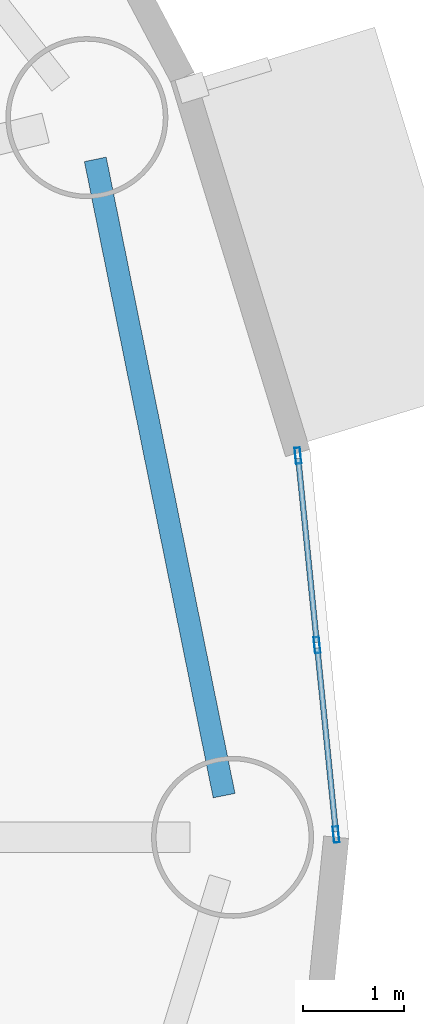
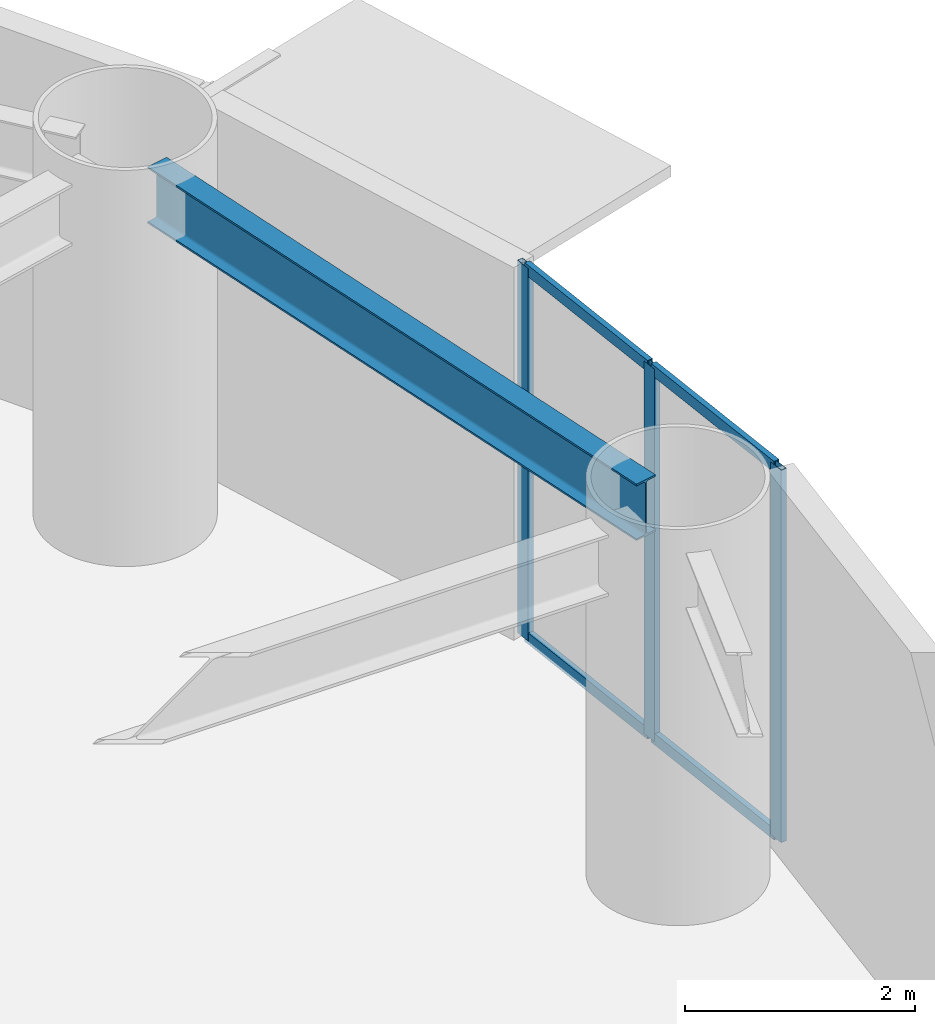
# One storey, part 8 of 28: 7 members, 1 beam, 1 element without a shape of its own.
"""IFC4 building model written with IfcOpenShell, lengths in metres."""

from ifc_helpers import new_model, si_unit, direction, frame, origin, origin_2d, place, context, subcontext, project, spatial, hollow_rectangle, i_section, extrude, source, transform, mapped, material, layer, layer_set, material_profile, profile_set, type_object, element, aggregate, save


model = new_model("IFC4")

# Units and contexts
model_context = context("Model", 3, precision=1e-05, world=origin(), true_north=direction((0.0, 1.0)))
body_context = subcontext(model_context, "Body", "Model", "MODEL_VIEW")
ifc_project = project(units=[si_unit("LENGTHUNIT", "METRE"), si_unit("AREAUNIT", "SQUARE_METRE"), si_unit("VOLUMEUNIT", "CUBIC_METRE"), si_unit("PLANEANGLEUNIT", "RADIAN"), si_unit("MASSUNIT", "GRAM", prefix="KILO")], contexts=[model_context])

# Site, building, storey
site_placement = place(None, origin())
site = spatial("IfcSite", under=ifc_project, at=site_placement, CompositionType="ELEMENT")
building_placement = place(site_placement, origin())
building = spatial("IfcBuilding", under=site, at=building_placement, Name="Linh Dai School and Residence Tower", CompositionType="ELEMENT")
storey_placement = place(building_placement, frame((0.0, 0.0, 36.60009765625)))
storey = spatial("IfcBuildingStorey", under=building, at=storey_placement, Name="L08", CompositionType="ELEMENT", Elevation=36.60009765625)

# Beam
ifc_material_1 = material(Name="Structural Steel S355JR", Category="steel")
ifc_material_profile_1 = material_profile(ifc_material_1, i_section(OverallWidth=0.219970703125, OverallDepth=0.60009765625, WebThickness=0.011962890625, FlangeThickness=0.01904296875, FilletRadius=0.02392578125, at=origin_2d()), Name="IPE 600")
ifc_profile_set_1 = profile_set([ifc_material_profile_1], Name="Structural Steel S355JR")
beam_type = type_object("IfcBeamType", Name="BM-RB60", PredefinedType="BEAM", material=ifc_profile_set_1)
beam_placement = place(storey_placement, frame((65.966552734375, 27.41162109375, 3.64990234375), z_axis=(-0.198429171022, 0.980115230005, 0.0), x_axis=(-0.980115230005, -0.198429171022, 0.0)))
element("IfcBeam", 1, at=beam_placement, inside=storey, type_object=beam_type, Name="L08 Perimeter Elliptical Ring Beam 01", PredefinedType="BEAM", context=body_context, shape_type="SweptSolid", body=[
    extrude(i_section(OverallWidth=0.219970703125, OverallDepth=0.60009765625, WebThickness=0.011962890625, FlangeThickness=0.01904296875, FilletRadius=0.02392578125, at=origin_2d()), origin(), (0.0, 0.0, 1.0), 6.41259765625),
])

# Curtain wall, members
ifc_material_2 = material(Name="Aluminium Anodised Curtain Wall", Category="aluminium")
ifc_layer = layer(ifc_material_2, 0.159912109375)
ifc_layer_set = layer_set([ifc_layer], Name="Aluminium Anodised Curtain Wall")
curtain_wall_type = type_object("IfcCurtainWallType", Name="CW-SYS-3", PredefinedType="USERDEFINED", material=ifc_layer_set)
curtain_wall_placement = place(storey_placement, origin())
curtain_wall = element("IfcCurtainWall", 2, at=curtain_wall_placement, inside=storey, type_object=curtain_wall_type, Name="L08 CW3 Curtain Wall 01", ObjectType="RIBBON CURTAIN WALL", PredefinedType="USERDEFINED")
ifc_material_3 = material(Name="Aluminium Alloy 6063-T6", Category="aluminium")
ifc_material_profile_2 = material_profile(ifc_material_3, hollow_rectangle(XDim=0.054931640625, YDim=0.1201171875, WallThickness=0.00390625, at=origin_2d()), Name="RHS 120x55x4")
ifc_profile_set_2 = profile_set([ifc_material_profile_2], Name="Aluminium Alloy 6063-T6")
member_type_1 = type_object("IfcMemberType", Name="CW-SYS-3-TRN", PredefinedType="USERDEFINED", material=ifc_profile_set_2)
shared_shape_1 = source(origin(), body_context, "Body", "SweptSolid", [
    extrude(hollow_rectangle(XDim=0.054931640625, YDim=0.1201171875, WallThickness=0.00390625, at=origin_2d()), origin(), (0.0, 0.0, 1.0), 1.825439453125),
])
member_1_placement = place(storey_placement, frame((66.698974609375, 30.7421875, 0.02734375), z_axis=(0.099900947353, -0.994997387292, 0.0), x_axis=(0.994997387292, 0.099900947353, 0.0)))
member_1 = element("IfcMember", 3, at=member_1_placement, type_object=member_type_1, Name="CW3 transom 1.1", ObjectType="TRANSOM", PredefinedType="USERDEFINED", context=body_context, shape_type="MappedRepresentation", body=[
    mapped(shared_shape_1, transform((0.0, 0.0, 0.0), x_axis=(1.0, 0.0, 0.0), y_axis=(0.0, 1.0, 0.0), z_axis=(0.0, 0.0, 1.0), scale=1.0)),
])
member_2_placement = place(storey_placement, frame((66.698974609375, 30.7421875, 3.92236328125), z_axis=(0.099900947353, -0.994997387292, 0.0), x_axis=(0.994997387292, 0.099900947353, 0.0)))
member_2 = element("IfcMember", 4, at=member_2_placement, type_object=member_type_1, Name="CW3 transom 1.2", ObjectType="TRANSOM", PredefinedType="USERDEFINED", context=body_context, shape_type="MappedRepresentation", body=[
    mapped(shared_shape_1, transform((0.0, 0.0, 0.0), x_axis=(1.0, 0.0, 0.0), y_axis=(0.0, 1.0, 0.0), z_axis=(0.0, 0.0, 1.0), scale=1.0)),
])
shared_shape_2 = source(origin(), body_context, "Body", "SweptSolid", [
    extrude(hollow_rectangle(XDim=0.054931640625, YDim=0.1201171875, WallThickness=0.00390625, at=origin_2d()), origin(), (0.0, 0.0, 1.0), 1.82568359375),
])
member_3_placement = place(storey_placement, frame((66.886962890625, 28.87109375, 0.02734375), z_axis=(0.100033346193, -0.994984085124, 0.0), x_axis=(0.994984085124, 0.100033346193, 0.0)))
member_3 = element("IfcMember", 5, at=member_3_placement, type_object=member_type_1, Name="CW3 transom 2.1", ObjectType="TRANSOM", PredefinedType="USERDEFINED", context=body_context, shape_type="MappedRepresentation", body=[
    mapped(shared_shape_2, transform((0.0, 0.0, 0.0), x_axis=(1.0, 0.0, 0.0), y_axis=(0.0, 1.0, 0.0), z_axis=(0.0, 0.0, 1.0), scale=1.0)),
])
member_4_placement = place(storey_placement, frame((66.886962890625, 28.87109375, 3.92236328125), z_axis=(0.100033346193, -0.994984085124, 0.0), x_axis=(0.994984085124, 0.100033346193, 0.0)))
member_4 = element("IfcMember", 6, at=member_4_placement, type_object=member_type_1, Name="CW3 transom 2.2", ObjectType="TRANSOM", PredefinedType="USERDEFINED", context=body_context, shape_type="MappedRepresentation", body=[
    mapped(shared_shape_2, transform((0.0, 0.0, 0.0), x_axis=(1.0, 0.0, 0.0), y_axis=(0.0, 1.0, 0.0), z_axis=(0.0, 0.0, 1.0), scale=1.0)),
])
ifc_material_profile_3 = material_profile(ifc_material_3, hollow_rectangle(XDim=0.054931640625, YDim=0.159912109375, WallThickness=0.00390625, at=origin_2d()), Name="RHS 160x55x4")
ifc_profile_set_3 = profile_set([ifc_material_profile_3], Name="Aluminium Alloy 6063-T6")
member_type_2 = type_object("IfcMemberType", Name="CW-SYS-3-MUL", PredefinedType="MULLION", material=ifc_profile_set_3)
shared_shape_3 = source(origin(), body_context, "Body", "SweptSolid", [
    extrude(hollow_rectangle(XDim=0.054931640625, YDim=0.159912109375, WallThickness=0.00390625, at=origin_2d()), origin(), (0.0, 0.0, 1.0), 3.949951171875),
])
member_5_placement = place(storey_placement, frame((66.696044921875, 30.76953125, 0.0), z_axis=(0.0, 0.0, 1.0), x_axis=(0.994986493533, 0.100009387998, 0.0)))
member_5 = element("IfcMember", 7, at=member_5_placement, type_object=member_type_2, Name="CW3 mullion 1", PredefinedType="MULLION", context=body_context, shape_type="MappedRepresentation", body=[
    mapped(shared_shape_3, transform((0.0, 0.0, 0.0), x_axis=(1.0, 0.0, 0.0), y_axis=(0.0, 1.0, 0.0), z_axis=(0.0, 0.0, 1.0), scale=1.0)),
])
member_6_placement = place(storey_placement, frame((66.88427734375, 28.8984375, 0.0), z_axis=(0.0, 0.0, 1.0), x_axis=(0.994986493533, 0.100009387998, 0.0)))
member_6 = element("IfcMember", 8, at=member_6_placement, type_object=member_type_2, Name="CW3 mullion 2", PredefinedType="MULLION", context=body_context, shape_type="MappedRepresentation", body=[
    mapped(shared_shape_3, transform((0.0, 0.0, 0.0), x_axis=(1.0, 0.0, 0.0), y_axis=(0.0, 1.0, 0.0), z_axis=(0.0, 0.0, 1.0), scale=1.0)),
])
member_7_placement = place(storey_placement, frame((67.072265625, 27.02734375, 0.0), z_axis=(0.0, 0.0, 1.0), x_axis=(0.994986493533, 0.100009387998, 0.0)))
member_7 = element("IfcMember", 9, at=member_7_placement, type_object=member_type_2, Name="CW3 mullion 3", PredefinedType="MULLION", context=body_context, shape_type="MappedRepresentation", body=[
    mapped(shared_shape_3, transform((0.0, 0.0, 0.0), x_axis=(1.0, 0.0, 0.0), y_axis=(0.0, 1.0, 0.0), z_axis=(0.0, 0.0, 1.0), scale=1.0)),
])
aggregate(curtain_wall, [member_5, member_6, member_7, member_1, member_2, member_3, member_4])

save(model, "model.ifc")
